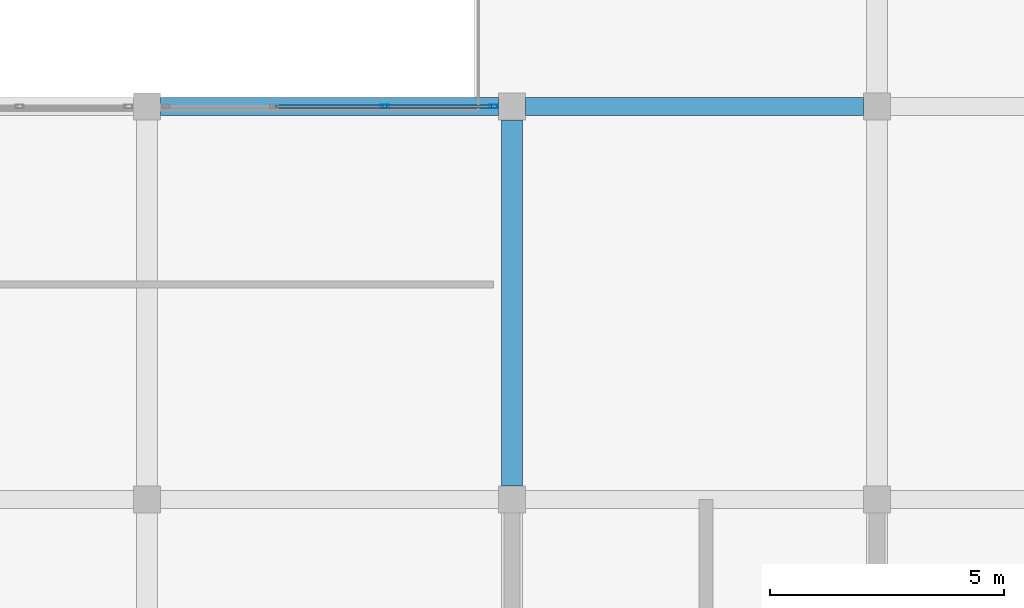
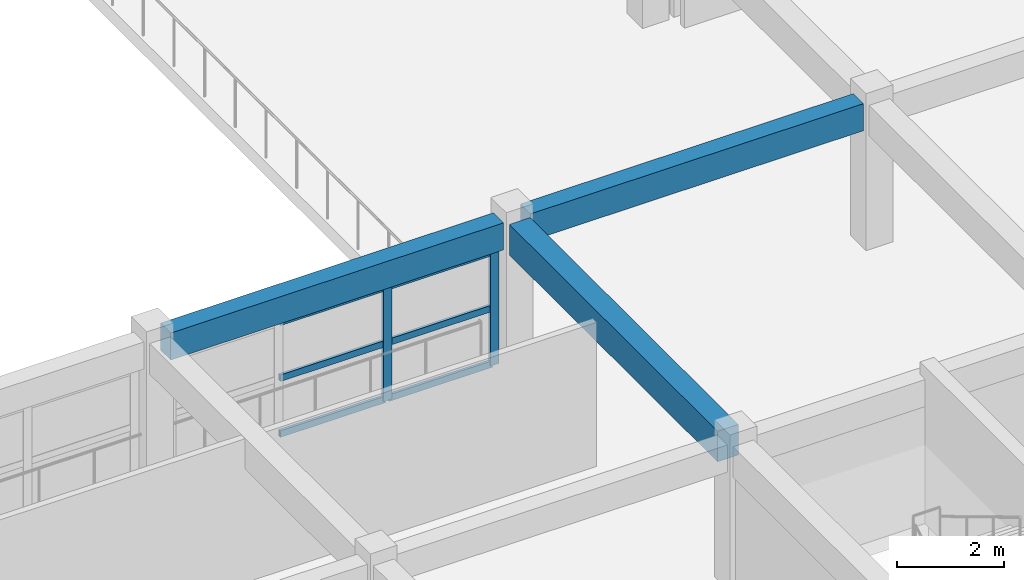
# One storey, part 62 of 101: 8 members, 3 beams, 1 element without a shape of its own.
"""IFC4 building model written with IfcOpenShell, lengths in metres."""

from ifc_helpers import new_model, si_unit, direction, frame, origin, origin_2d, place, context, subcontext, project, spatial, rectangle, hollow_rectangle, extrude, material, layer, layer_set, material_profile, profile_set, type_object, element, aggregate, save


model = new_model("IFC4")

# Units and contexts
model_context = context("Model", 3, precision=1e-05, world=origin(), true_north=direction((0.0, 1.0)))
body_context = subcontext(model_context, "Body", "Model", "MODEL_VIEW")
ifc_project = project(units=[si_unit("LENGTHUNIT", "METRE"), si_unit("AREAUNIT", "SQUARE_METRE"), si_unit("VOLUMEUNIT", "CUBIC_METRE"), si_unit("PLANEANGLEUNIT", "RADIAN"), si_unit("MASSUNIT", "GRAM", prefix="KILO")], contexts=[model_context])

# Site, building, storey
site_placement = place(None, origin())
site = spatial("IfcSite", under=ifc_project, at=site_placement, CompositionType="ELEMENT")
building_placement = place(site_placement, origin())
building = spatial("IfcBuilding", under=site, at=building_placement, Name="Zizhar Promenade General Hospital", CompositionType="ELEMENT")
storey_placement = place(building_placement, frame((0.0, 0.0, 14.39990234375)))
storey = spatial("IfcBuildingStorey", under=building, at=storey_placement, Name="L03", CompositionType="ELEMENT", Elevation=14.39990234375)

# Beams
ifc_material_1 = material(Name="Concrete C35/45", Category="concrete")
ifc_material_profile_1 = material_profile(ifc_material_1, rectangle(XDim=0.3798828125, YDim=0.6201171875, at=origin_2d()))
ifc_profile_set_1 = profile_set([ifc_material_profile_1], Name="Concrete C35/45")
beam_type_1 = type_object("IfcBeamType", Name="BM-RC-380x620", PredefinedType="JOIST", material=ifc_profile_set_1)
beam_1_placement = place(storey_placement, frame((164.090087890625, 67.199951171875, 3.0), z_axis=(1.0, 0.0, 0.0), x_axis=(0.0, 1.0, 0.0)))
element("IfcBeam", 1, at=beam_1_placement, inside=storey, type_object=beam_type_1, Name="Grid Beam X L03 (21-8)", PredefinedType="JOIST", context=body_context, shape_type="SweptSolid", body=[
    extrude(rectangle(XDim=0.3798828125, YDim=0.6201171875, at=origin_2d()), origin(), (0.0, 0.0, 1.0), 7.219970703125),
])
beam_2_placement = place(storey_placement, frame((171.889892578125, 67.199951171875, 3.0), z_axis=(1.0, 0.0, 0.0), x_axis=(0.0, 1.0, 0.0)))
element("IfcBeam", 2, at=beam_2_placement, inside=storey, type_object=beam_type_1, Name="Grid Beam X L03 (22-8)", PredefinedType="JOIST", context=body_context, shape_type="SweptSolid", body=[
    extrude(rectangle(XDim=0.3798828125, YDim=0.6201171875, at=origin_2d()), origin(), (0.0, 0.0, 1.0), 7.22021484375),
])
ifc_material_2 = material(Name="Concrete C35/45", Category="concrete")
ifc_material_profile_2 = material_profile(ifc_material_2, rectangle(XDim=0.449951171875, YDim=0.699951171875, at=origin_2d()))
ifc_profile_set_2 = profile_set([ifc_material_profile_2], Name="Concrete C35/45")
beam_type_2 = type_object("IfcBeamType", Name="BM-RC-450x700", PredefinedType="BEAM", material=ifc_profile_set_2)
beam_3_placement = place(storey_placement, frame((171.60009765625, 59.090087890625, 2.960205078125), z_axis=(0.0, 1.0, 0.0), x_axis=(-1.0, 0.0, 0.0)))
element("IfcBeam", 3, at=beam_3_placement, inside=storey, type_object=beam_type_2, Name="Grid Beam Y L03 (22-7)", PredefinedType="BEAM", context=body_context, shape_type="SweptSolid", body=[
    extrude(rectangle(XDim=0.449951171875, YDim=0.699951171875, at=origin_2d()), origin(), (0.0, 0.0, 1.0), 7.81982421875),
])

# Curtain wall, members
ifc_material_3 = material(Name="Anodised aluminium 6063-T6 and low-E glass", Category="aluminium")
ifc_layer = layer(ifc_material_3, 0.159912109375)
ifc_layer_set = layer_set([ifc_layer], Name="Anodised aluminium 6063-T6 and low-E glass")
curtain_wall_type = type_object("IfcCurtainWallType", Name="CW-CLN-CRT", PredefinedType="NOTDEFINED", material=ifc_layer_set)
curtain_wall_placement = place(storey_placement, origin())
curtain_wall = element("IfcCurtainWall", 4, at=curtain_wall_placement, inside=storey, type_object=curtain_wall_type, Name="East Light Court South Glazing L03-21", PredefinedType="NOTDEFINED")
ifc_material_4 = material(Name="Anodised aluminium 6063-T6", Category="aluminium")
ifc_material_profile_3 = material_profile(ifc_material_4, hollow_rectangle(XDim=0.080078125, YDim=0.179931640625, WallThickness=0.0048828125, at=origin_2d()))
ifc_profile_set_3 = profile_set([ifc_material_profile_3], Name="Anodised aluminium 6063-T6")
member_type_1 = type_object("IfcMemberType", Name="CWM-ALU-180x80", PredefinedType="MULLION", material=ifc_profile_set_3)
member_1_placement = place(storey_placement, frame((168.8798828125, 67.199951171875, 0.0), z_axis=(0.0, 0.0, 1.0), x_axis=(0.0, 1.0, 0.0)))
member_1 = element("IfcMember", 5, at=member_1_placement, type_object=member_type_1, Name="CW-10 mullion 3", PredefinedType="MULLION", context=body_context, shape_type="SweptSolid", body=[
    extrude(hollow_rectangle(XDim=0.080078125, YDim=0.179931640625, WallThickness=0.0048828125, at=origin_2d()), origin(), (0.0, 0.0, 1.0), 2.6201171875),
])
member_2_placement = place(storey_placement, frame((171.199951171875, 67.199951171875, 0.0), z_axis=(0.0, 0.0, 1.0), x_axis=(0.0, 1.0, 0.0)))
member_2 = element("IfcMember", 6, at=member_2_placement, type_object=member_type_1, Name="CW-10 mullion 4", PredefinedType="MULLION", context=body_context, shape_type="SweptSolid", body=[
    extrude(hollow_rectangle(XDim=0.080078125, YDim=0.179931640625, WallThickness=0.0048828125, at=origin_2d()), origin(), (0.0, 0.0, 1.0), 2.6201171875),
])
ifc_material_5 = material(Name="Anodised aluminium 6063-T6", Category="aluminium")
ifc_material_profile_4 = material_profile(ifc_material_5, hollow_rectangle(XDim=0.06005859375, YDim=0.14990234375, WallThickness=0.00390625, at=origin_2d()))
ifc_profile_set_4 = profile_set([ifc_material_profile_4], Name="Anodised aluminium 6063-T6")
member_type_2 = type_object("IfcMemberType", Name="CWT-ALU-150x60", PredefinedType="USERDEFINED", material=ifc_profile_set_4)
member_3_placement = place(storey_placement, frame((166.56005859375, 67.199951171875, 0.030029296875), z_axis=(1.0, 0.0, 0.0), x_axis=(0.0, 1.0, 0.0)))
member_3 = element("IfcMember", 7, at=member_3_placement, type_object=member_type_2, Name="CW-10 transom 2.1", ObjectType="TRANSOM", PredefinedType="USERDEFINED", context=body_context, shape_type="SweptSolid", body=[
    extrude(hollow_rectangle(XDim=0.06005859375, YDim=0.14990234375, WallThickness=0.00390625, at=origin_2d()), origin(), (0.0, 0.0, 1.0), 2.280029296875),
])
member_4_placement = place(storey_placement, frame((166.56005859375, 67.199951171875, 1.31005859375), z_axis=(1.0, 0.0, 0.0), x_axis=(0.0, 1.0, 0.0)))
member_4 = element("IfcMember", 8, at=member_4_placement, type_object=member_type_2, Name="CW-10 transom 2.2", ObjectType="TRANSOM", PredefinedType="USERDEFINED", context=body_context, shape_type="SweptSolid", body=[
    extrude(hollow_rectangle(XDim=0.06005859375, YDim=0.14990234375, WallThickness=0.00390625, at=origin_2d()), origin(), (0.0, 0.0, 1.0), 2.280029296875),
])
member_5_placement = place(storey_placement, frame((166.56005859375, 67.199951171875, 2.590087890625), z_axis=(1.0, 0.0, 0.0), x_axis=(0.0, 1.0, 0.0)))
member_5 = element("IfcMember", 9, at=member_5_placement, type_object=member_type_2, Name="CW-10 transom 2.3", ObjectType="TRANSOM", PredefinedType="USERDEFINED", context=body_context, shape_type="SweptSolid", body=[
    extrude(hollow_rectangle(XDim=0.06005859375, YDim=0.14990234375, WallThickness=0.00390625, at=origin_2d()), origin(), (0.0, 0.0, 1.0), 2.280029296875),
])
member_6_placement = place(storey_placement, frame((168.919921875, 67.199951171875, 0.030029296875), z_axis=(1.0, 0.0, 0.0), x_axis=(0.0, 1.0, 0.0)))
member_6 = element("IfcMember", 10, at=member_6_placement, type_object=member_type_2, Name="CW-10 transom 3.1", ObjectType="TRANSOM", PredefinedType="USERDEFINED", context=body_context, shape_type="SweptSolid", body=[
    extrude(hollow_rectangle(XDim=0.06005859375, YDim=0.14990234375, WallThickness=0.00390625, at=origin_2d()), origin(), (0.0, 0.0, 1.0), 2.239990234375),
])
member_7_placement = place(storey_placement, frame((168.919921875, 67.199951171875, 1.31005859375), z_axis=(1.0, 0.0, 0.0), x_axis=(0.0, 1.0, 0.0)))
member_7 = element("IfcMember", 11, at=member_7_placement, type_object=member_type_2, Name="CW-10 transom 3.2", ObjectType="TRANSOM", PredefinedType="USERDEFINED", context=body_context, shape_type="SweptSolid", body=[
    extrude(hollow_rectangle(XDim=0.06005859375, YDim=0.14990234375, WallThickness=0.00390625, at=origin_2d()), origin(), (0.0, 0.0, 1.0), 2.239990234375),
])
member_8_placement = place(storey_placement, frame((168.919921875, 67.199951171875, 2.590087890625), z_axis=(1.0, 0.0, 0.0), x_axis=(0.0, 1.0, 0.0)))
member_8 = element("IfcMember", 12, at=member_8_placement, type_object=member_type_2, Name="CW-10 transom 3.3", ObjectType="TRANSOM", PredefinedType="USERDEFINED", context=body_context, shape_type="SweptSolid", body=[
    extrude(hollow_rectangle(XDim=0.06005859375, YDim=0.14990234375, WallThickness=0.00390625, at=origin_2d()), origin(), (0.0, 0.0, 1.0), 2.239990234375),
])
aggregate(curtain_wall, [member_1, member_2, member_3, member_4, member_5, member_6, member_7, member_8])

save(model, "model.ifc")
